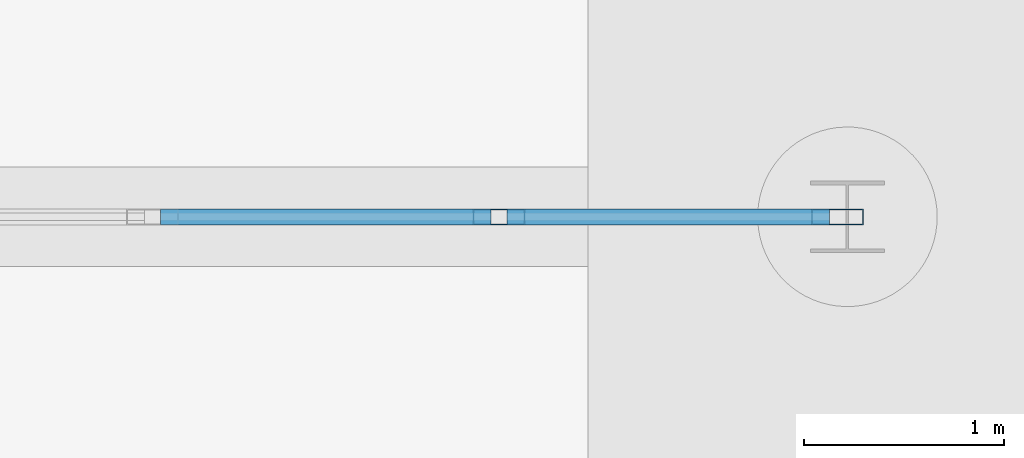
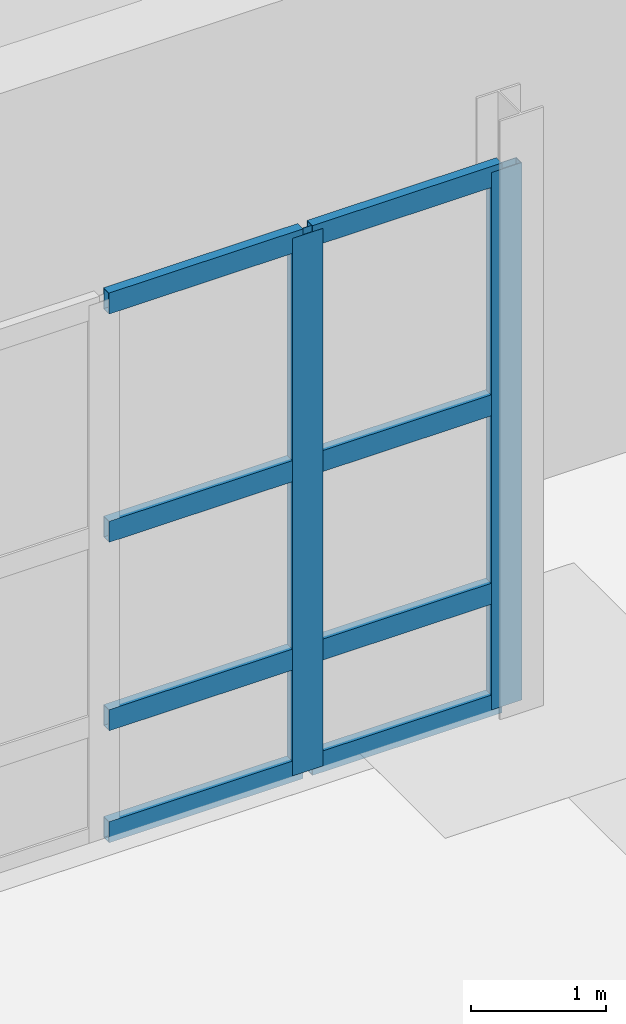
# One storey, part 19 of 69: 10 members, 1 element without a shape of its own.
"""IFC4 building model written with IfcOpenShell, lengths in metres."""

from ifc_helpers import new_model, si_unit, direction, frame, origin, origin_2d, place, context, subcontext, project, spatial, hollow_rectangle, extrude, material, layer, layer_set, material_profile, profile_set, type_object, element, aggregate, save


model = new_model("IFC4")

# Units and contexts
model_context = context("Model", 3, precision=1e-05, world=origin(), true_north=direction((0.0, 1.0)))
body_context = subcontext(model_context, "Body", "Model", "MODEL_VIEW")
ifc_project = project(units=[si_unit("LENGTHUNIT", "METRE"), si_unit("AREAUNIT", "SQUARE_METRE"), si_unit("VOLUMEUNIT", "CUBIC_METRE"), si_unit("PLANEANGLEUNIT", "RADIAN"), si_unit("MASSUNIT", "GRAM", prefix="KILO")], contexts=[model_context])

# Site, building, storey
site_placement = place(None, origin())
site = spatial("IfcSite", under=ifc_project, at=site_placement, CompositionType="ELEMENT")
building_placement = place(site_placement, origin())
building = spatial("IfcBuilding", under=site, at=building_placement, Name="Vaelkrest Opera House", CompositionType="ELEMENT")
storey_placement = place(building_placement, frame((0.0, 0.0, -5.39990234375)))
storey = spatial("IfcBuildingStorey", under=building, at=storey_placement, Name="B1", CompositionType="ELEMENT", Elevation=-5.39990234375)

# Curtain wall, members
ifc_material = material(Name="Dark bronze anodized aluminium", Category="aluminium")
ifc_layer = layer(ifc_material, 0.2099609375)
ifc_layer_set = layer_set([ifc_layer], Name="Dark bronze anodized aluminium")
curtain_wall_type = type_object("IfcCurtainWallType", Name="CW04", PredefinedType="NOTDEFINED", material=ifc_layer_set)
curtain_wall_placement = place(storey_placement, origin())
curtain_wall = element("IfcCurtainWall", 1, at=curtain_wall_placement, inside=storey, type_object=curtain_wall_type, Name="Curtain wall CW-B1-175", PredefinedType="NOTDEFINED")
ifc_material_profile_1 = material_profile(ifc_material, hollow_rectangle(XDim=0.080078125, YDim=0.260009765625, WallThickness=0.0048828125, at=origin_2d()), Name="CWM80X260")
ifc_profile_set_1 = profile_set([ifc_material_profile_1], Name="Dark bronze anodized aluminium")
member_type_1 = type_object("IfcMemberType", Name="CWM04", PredefinedType="MULLION", material=ifc_profile_set_1)
member_1_placement = place(storey_placement, frame((-53.345947265625, -37.800048828125, 0.0), z_axis=(0.0, 0.0, 1.0), x_axis=(0.0, 1.0, 0.0)))
member_1 = element("IfcMember", 2, at=member_1_placement, type_object=member_type_1, Name="CW04 mullion 5", PredefinedType="MULLION", context=body_context, shape_type="SweptSolid", body=[
    extrude(hollow_rectangle(XDim=0.080078125, YDim=0.260009765625, WallThickness=0.0048828125, at=origin_2d()), origin(), (0.0, 0.0, 1.0), 4.849853515625),
])
member_2_placement = place(storey_placement, frame((-51.64990234375, -37.800048828125, 0.0), z_axis=(0.0, 0.0, 1.0), x_axis=(0.0, 1.0, 0.0)))
member_2 = element("IfcMember", 3, at=member_2_placement, type_object=member_type_1, Name="CW04 mullion 6", PredefinedType="MULLION", context=body_context, shape_type="SweptSolid", body=[
    extrude(hollow_rectangle(XDim=0.080078125, YDim=0.260009765625, WallThickness=0.0048828125, at=origin_2d()), origin(), (0.0, 0.0, 1.0), 4.849853515625),
])
ifc_material_profile_2 = material_profile(ifc_material, hollow_rectangle(XDim=0.080078125, YDim=0.18994140625, WallThickness=0.0048828125, at=origin_2d()), Name="CWT80X190")
ifc_profile_set_2 = profile_set([ifc_material_profile_2], Name="Dark bronze anodized aluminium")
member_type_2 = type_object("IfcMemberType", Name="CWT04", PredefinedType="USERDEFINED", material=ifc_profile_set_2)
member_3_placement = place(storey_placement, frame((-55.0419921875, -37.800048828125, 0.039794921875), z_axis=(1.0, 0.0, 0.0), x_axis=(0.0, 1.0, 0.0)))
member_3 = element("IfcMember", 4, at=member_3_placement, type_object=member_type_2, Name="CW04 transom 4.1", ObjectType="TRANSOM", PredefinedType="USERDEFINED", context=body_context, shape_type="SweptSolid", body=[
    extrude(hollow_rectangle(XDim=0.080078125, YDim=0.18994140625, WallThickness=0.0048828125, at=origin_2d()), origin(), (0.0, 0.0, 1.0), 1.656005859375),
])
member_4_placement = place(storey_placement, frame((-55.0419921875, -37.800048828125, 1.0498046875), z_axis=(1.0, 0.0, 0.0), x_axis=(0.0, 1.0, 0.0)))
member_4 = element("IfcMember", 5, at=member_4_placement, type_object=member_type_2, Name="CW04 transom 4.2", ObjectType="TRANSOM", PredefinedType="USERDEFINED", context=body_context, shape_type="SweptSolid", body=[
    extrude(hollow_rectangle(XDim=0.080078125, YDim=0.18994140625, WallThickness=0.0048828125, at=origin_2d()), origin(), (0.0, 0.0, 1.0), 1.656005859375),
])
member_5_placement = place(storey_placement, frame((-55.0419921875, -37.800048828125, 2.75), z_axis=(1.0, 0.0, 0.0), x_axis=(0.0, 1.0, 0.0)))
member_5 = element("IfcMember", 6, at=member_5_placement, type_object=member_type_2, Name="CW04 transom 4.3", ObjectType="TRANSOM", PredefinedType="USERDEFINED", context=body_context, shape_type="SweptSolid", body=[
    extrude(hollow_rectangle(XDim=0.080078125, YDim=0.18994140625, WallThickness=0.0048828125, at=origin_2d()), origin(), (0.0, 0.0, 1.0), 1.656005859375),
])
member_6_placement = place(storey_placement, frame((-55.0419921875, -37.800048828125, 4.809814453125), z_axis=(1.0, 0.0, 0.0), x_axis=(0.0, 1.0, 0.0)))
member_6 = element("IfcMember", 7, at=member_6_placement, type_object=member_type_2, Name="CW04 transom 4.4", ObjectType="TRANSOM", PredefinedType="USERDEFINED", context=body_context, shape_type="SweptSolid", body=[
    extrude(hollow_rectangle(XDim=0.080078125, YDim=0.18994140625, WallThickness=0.0048828125, at=origin_2d()), origin(), (0.0, 0.0, 1.0), 1.656005859375),
])
member_7_placement = place(storey_placement, frame((-53.305908203125, -37.800048828125, 0.039794921875), z_axis=(1.0, 0.0, 0.0), x_axis=(0.0, 1.0, 0.0)))
member_7 = element("IfcMember", 8, at=member_7_placement, type_object=member_type_2, Name="CW04 transom 5.1", ObjectType="TRANSOM", PredefinedType="USERDEFINED", context=body_context, shape_type="SweptSolid", body=[
    extrude(hollow_rectangle(XDim=0.080078125, YDim=0.18994140625, WallThickness=0.0048828125, at=origin_2d()), origin(), (0.0, 0.0, 1.0), 1.615966796875),
])
member_8_placement = place(storey_placement, frame((-53.305908203125, -37.800048828125, 1.0498046875), z_axis=(1.0, 0.0, 0.0), x_axis=(0.0, 1.0, 0.0)))
member_8 = element("IfcMember", 9, at=member_8_placement, type_object=member_type_2, Name="CW04 transom 5.2", ObjectType="TRANSOM", PredefinedType="USERDEFINED", context=body_context, shape_type="SweptSolid", body=[
    extrude(hollow_rectangle(XDim=0.080078125, YDim=0.18994140625, WallThickness=0.0048828125, at=origin_2d()), origin(), (0.0, 0.0, 1.0), 1.615966796875),
])
member_9_placement = place(storey_placement, frame((-53.305908203125, -37.800048828125, 2.75), z_axis=(1.0, 0.0, 0.0), x_axis=(0.0, 1.0, 0.0)))
member_9 = element("IfcMember", 10, at=member_9_placement, type_object=member_type_2, Name="CW04 transom 5.3", ObjectType="TRANSOM", PredefinedType="USERDEFINED", context=body_context, shape_type="SweptSolid", body=[
    extrude(hollow_rectangle(XDim=0.080078125, YDim=0.18994140625, WallThickness=0.0048828125, at=origin_2d()), origin(), (0.0, 0.0, 1.0), 1.615966796875),
])
member_10_placement = place(storey_placement, frame((-53.305908203125, -37.800048828125, 4.809814453125), z_axis=(1.0, 0.0, 0.0), x_axis=(0.0, 1.0, 0.0)))
member_10 = element("IfcMember", 11, at=member_10_placement, type_object=member_type_2, Name="CW04 transom 5.4", ObjectType="TRANSOM", PredefinedType="USERDEFINED", context=body_context, shape_type="SweptSolid", body=[
    extrude(hollow_rectangle(XDim=0.080078125, YDim=0.18994140625, WallThickness=0.0048828125, at=origin_2d()), origin(), (0.0, 0.0, 1.0), 1.615966796875),
])
aggregate(curtain_wall, [member_1, member_2, member_3, member_4, member_5, member_6, member_7, member_8, member_9, member_10])

save(model, "model.ifc")
